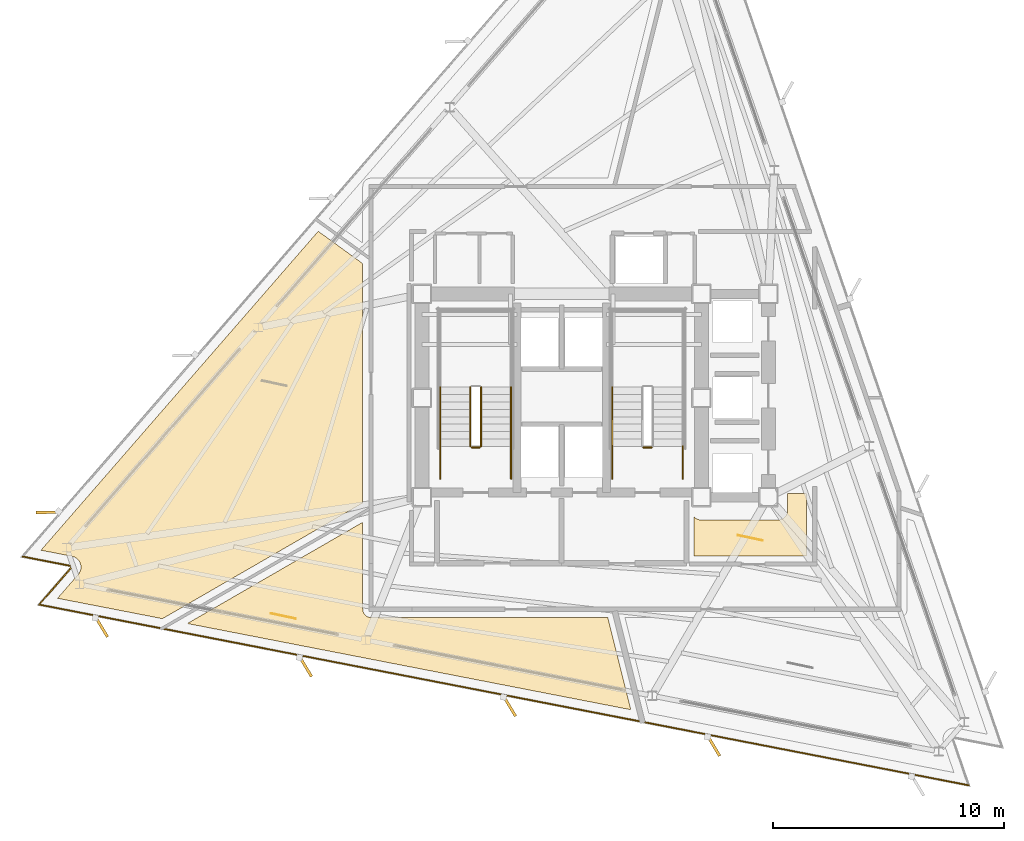
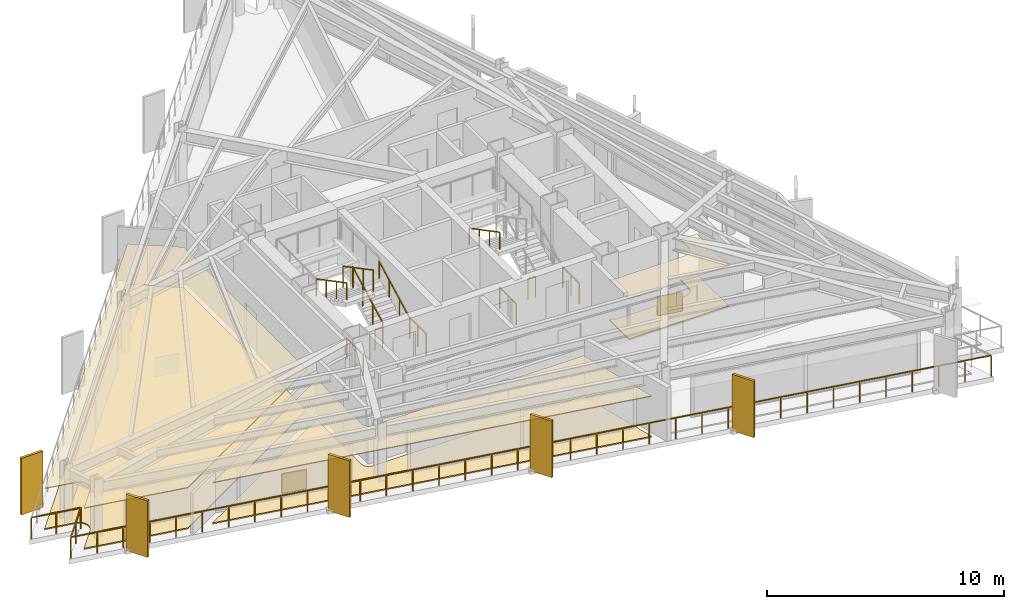
# One storey, part 11 of 13: 12 railings, 8 coverings, 5 shading devices.
"""IFC4 building model written with IfcOpenShell, lengths in metres."""

from ifc_helpers import new_model, si_unit, direction, frame, origin, origin_2d, place, context, subcontext, project, spatial, polyline, rectangle, outline, extrude, material, layer, layer_set, type_object, element, save


model = new_model("IFC4")

# Units and contexts
model_context = context("Model", 3, precision=1e-05, world=origin(), true_north=direction((0.0, 1.0)))
body_context = subcontext(model_context, "Body", "Model", "MODEL_VIEW")
ifc_project = project(units=[si_unit("LENGTHUNIT", "METRE"), si_unit("AREAUNIT", "SQUARE_METRE"), si_unit("VOLUMEUNIT", "CUBIC_METRE"), si_unit("PLANEANGLEUNIT", "RADIAN"), si_unit("MASSUNIT", "GRAM", prefix="KILO")], contexts=[model_context])

# Site, building, storey
site_placement = place(None, origin())
site = spatial("IfcSite", under=ifc_project, at=site_placement, CompositionType="ELEMENT")
building_placement = place(site_placement, origin())
building = spatial("IfcBuilding", under=site, at=building_placement, Name="Rocaltana Carrier Exchange", CompositionType="ELEMENT")
storey_placement = place(building_placement, frame((0.0, 0.0, 153.280029296875)))
storey = spatial("IfcBuildingStorey", under=building, at=storey_placement, Name="L48", CompositionType="ELEMENT", Elevation=153.280029296875)

# Coverings
ifc_material_1 = material(Name="Calcium Sulphate & Aluminium Pedestal", Category="aluminium")
ifc_layer_1 = layer(ifc_material_1, 0.06005859375)
ifc_layer_set_1 = layer_set([ifc_layer_1], Name="Calcium Sulphate & Aluminium Pedestal")
covering_type_1 = type_object("IfcCoveringType", Name="Anti-Static Raised Exchange Access Floor 60", PredefinedType="FLOORING", material=ifc_layer_set_1)
covering_1_placement = place(storey_placement, origin())
element("IfcCovering", 1, at=covering_1_placement, inside=storey, type_object=covering_type_1, Name="L48 Cloud Architecture Office Finish Floor", PredefinedType="FLOORING", context=body_context, shape_type="SweptSolid", body=[
    extrude(outline(polyline([(-20.927490234375, -7.6455078125), (-20.918701171875, -7.635009765625), (-20.906494140625, -7.619140625), (-20.890380859375, -7.596435546875), (-20.879638671875, -7.57958984375), (-20.86572265625, -7.555419921875), (-20.85693359375, -7.53759765625), (-20.845703125, -7.511962890625), (-20.83837890625, -7.493408203125), (-20.829833984375, -7.466796875), (-20.824462890625, -7.447509765625), (-20.818603515625, -7.42041015625), (-20.815185546875, -7.400634765625), (-20.81201171875, -7.372802734375), (-20.810546875, -7.35302734375), (-20.81005859375, -7.3251953125), (-20.810791015625, -7.30517578125), (-20.81298828125, -7.27734375), (-20.815673828125, -7.257568359375), (-20.82080078125, -7.230224609375), (-20.8251953125, -7.210693359375), (-20.8330078125, -7.183837890625), (-20.839599609375, -7.1650390625), (-20.849853515625, -7.13916015625), (-20.8583984375, -7.12109375), (-20.87109375, -7.09619140625), (-20.88134765625, -7.0791015625), (-20.896484375, -7.055908203125), (-20.908447265625, -7.039794921875), (-20.92578125, -7.01806640625), (-20.939208984375, -7.003173828125), (-20.958984375, -6.9833984375), (-20.9736328125, -6.969970703125), (-20.9951171875, -6.9521484375), (-21.010986328125, -6.940185546875), (-21.0341796875, -6.924560546875), (-21.051513671875, -6.914306640625), (-21.075927734375, -6.901123046875), (-21.093994140625, -6.892578125), (-21.119873046875, -6.882080078125), (-21.138671875, -6.875244140625), (-21.165283203125, -6.8671875), (-21.184814453125, -6.862548828125), (-21.1982421875, -6.859619140625), (-22.541748046875, -6.598388671875), (-10.53759765625, 7.2109375), (-8.610107421875, 5.810546875), (-8.610107421875, -4.555419921875), (-17.281494140625, -9.561767578125), (-21.82568359375, -8.6787109375), (-20.927490234375, -7.6455078125)])), origin(), (0.0, 0.0, 1.0), 0.06005859375),
])
covering_2_placement = place(storey_placement, origin())
element("IfcCovering", 2, at=covering_2_placement, inside=storey, type_object=covering_type_1, Name="L48 Network Operations Office Finish Floor", PredefinedType="FLOORING", context=body_context, shape_type="SweptSolid", body=[
    extrude(outline(polyline([(-16.204345703125, -9.771240234375), (-8.610107421875, -5.38671875), (-8.610107421875, -9.14990234375), (-8.609619140625, -9.163818359375), (-8.609375, -9.171630859375), (-8.606689453125, -9.198974609375), (-8.60546875, -9.206787109375), (-8.60009765625, -9.233642578125), (-8.59814453125, -9.2412109375), (-8.590087890625, -9.267578125), (-8.58740234375, -9.27490234375), (-8.576904296875, -9.30029296875), (-8.57373046875, -9.307373046875), (-8.560791015625, -9.331787109375), (-8.556640625, -9.33837890625), (-8.54150390625, -9.361083984375), (-8.53662109375, -9.367431640625), (-8.519287109375, -9.388916015625), (-8.513916015625, -9.39453125), (-8.49462890625, -9.4140625), (-8.48876953125, -9.419189453125), (-8.467529296875, -9.436767578125), (-8.461181640625, -9.44140625), (-8.4384765625, -9.456787109375), (-8.431640625, -9.460693359375), (-8.407470703125, -9.4736328125), (-8.400390625, -9.47705078125), (-8.375, -9.487548828125), (-8.36767578125, -9.490234375), (-8.34130859375, -9.498291015625), (-8.33349609375, -9.5), (-8.306640625, -9.50537109375), (-8.298828125, -9.506591796875), (-8.271484375, -9.50927734375), (-8.263671875, -9.509765625), (-8.25, -9.510009765625), (2.0, -9.510009765625), (2.99560546875, -13.50341796875), (-16.204345703125, -9.771240234375)])), origin(), (0.0, 0.0, 1.0), 0.06005859375),
])
covering_3_placement = place(storey_placement, origin())
element("IfcCovering", 3, at=covering_3_placement, inside=storey, type_object=covering_type_1, Name="L48 Optical Switching Laboratory Finish Floor", PredefinedType="FLOORING", context=body_context, shape_type="SweptSolid", body=[
    extrude(outline(polyline([(5.739990234375, -6.840087890625), (5.739990234375, -5.161865234375), (5.748779296875, -5.170654296875), (5.760498046875, -5.18115234375), (5.78173828125, -5.198486328125), (5.794189453125, -5.2080078125), (5.817138671875, -5.22314453125), (5.83056640625, -5.231201171875), (5.85498046875, -5.244140625), (5.869140625, -5.2509765625), (5.894287109375, -5.261474609375), (5.9091796875, -5.2666015625), (5.935546875, -5.274658203125), (5.95068359375, -5.278564453125), (5.977783203125, -5.283935546875), (5.9931640625, -5.2861328125), (6.0205078125, -5.288818359375), (6.036376953125, -5.289794921875), (6.050048828125, -5.2900390625), (9.35009765625, -5.2900390625), (9.36376953125, -5.289794921875), (9.37939453125, -5.288818359375), (9.40673828125, -5.2861328125), (9.42236328125, -5.283935546875), (9.44921875, -5.278564453125), (9.464599609375, -5.274658203125), (9.49072265625, -5.2666015625), (9.505615234375, -5.261474609375), (9.531005859375, -5.2509765625), (9.545166015625, -5.244140625), (9.5693359375, -5.231201171875), (9.582763671875, -5.22314453125), (9.605712890625, -5.2080078125), (9.618408203125, -5.198486328125), (9.639404296875, -5.18115234375), (9.651123046875, -5.170654296875), (9.670654296875, -5.151123046875), (9.68115234375, -5.139404296875), (9.698486328125, -5.118408203125), (9.7080078125, -5.105712890625), (9.72314453125, -5.082763671875), (9.731201171875, -5.0693359375), (9.744140625, -5.045166015625), (9.7509765625, -5.031005859375), (9.761474609375, -5.005615234375), (9.7666015625, -4.99072265625), (9.774658203125, -4.964599609375), (9.778564453125, -4.94921875), (9.783935546875, -4.92236328125), (9.7861328125, -4.90673828125), (9.788818359375, -4.87939453125), (9.789794921875, -4.86376953125), (9.7900390625, -4.85009765625), (9.7900390625, -4.139892578125), (10.60009765625, -4.139892578125), (10.60009765625, -6.840087890625), (5.739990234375, -6.840087890625)])), origin(), (0.0, 0.0, 1.0), 0.06005859375),
])
ifc_material_2 = material(Name="Mineral Fibre & Powder-Coated Aluminium", Category="aluminium")
ifc_layer_2 = layer(ifc_material_2, 0.044921875)
ifc_layer_set_2 = layer_set([ifc_layer_2], Name="Mineral Fibre & Powder-Coated Aluminium")
covering_type_2 = type_object("IfcCoveringType", Name="Micro-Perforated Acoustic Ceiling 45", PredefinedType="CEILING", material=ifc_layer_set_2)
covering_4_placement = place(storey_placement, frame((0.0, 0.0, 2.093017578125)))
element("IfcCovering", 4, at=covering_4_placement, inside=storey, type_object=covering_type_2, Name="L48 Cloud Architecture Office Acoustic Ceiling", PredefinedType="CEILING", context=body_context, shape_type="SweptSolid", body=[
    extrude(outline(polyline([(-20.927490234375, -7.6455078125), (-20.918701171875, -7.635009765625), (-20.906494140625, -7.619140625), (-20.890380859375, -7.596435546875), (-20.879638671875, -7.57958984375), (-20.86572265625, -7.555419921875), (-20.85693359375, -7.53759765625), (-20.845703125, -7.511962890625), (-20.83837890625, -7.493408203125), (-20.829833984375, -7.466796875), (-20.824462890625, -7.447509765625), (-20.818603515625, -7.42041015625), (-20.815185546875, -7.400634765625), (-20.81201171875, -7.372802734375), (-20.810546875, -7.35302734375), (-20.81005859375, -7.3251953125), (-20.810791015625, -7.30517578125), (-20.81298828125, -7.27734375), (-20.815673828125, -7.257568359375), (-20.82080078125, -7.230224609375), (-20.8251953125, -7.210693359375), (-20.8330078125, -7.183837890625), (-20.839599609375, -7.1650390625), (-20.849853515625, -7.13916015625), (-20.8583984375, -7.12109375), (-20.87109375, -7.09619140625), (-20.88134765625, -7.0791015625), (-20.896484375, -7.055908203125), (-20.908447265625, -7.039794921875), (-20.92578125, -7.01806640625), (-20.939208984375, -7.003173828125), (-20.958984375, -6.9833984375), (-20.9736328125, -6.969970703125), (-20.9951171875, -6.9521484375), (-21.010986328125, -6.940185546875), (-21.0341796875, -6.924560546875), (-21.051513671875, -6.914306640625), (-21.075927734375, -6.901123046875), (-21.093994140625, -6.892578125), (-21.119873046875, -6.882080078125), (-21.138671875, -6.875244140625), (-21.165283203125, -6.8671875), (-21.184814453125, -6.862548828125), (-21.1982421875, -6.859619140625), (-22.541748046875, -6.598388671875), (-10.53759765625, 7.2109375), (-8.610107421875, 5.810546875), (-8.610107421875, -4.555419921875), (-17.281494140625, -9.561767578125), (-21.82568359375, -8.6787109375), (-20.927490234375, -7.6455078125)])), origin(), (0.0, 0.0, 1.0), 0.044921875),
])
covering_5_placement = place(storey_placement, frame((0.0, 0.0, 2.093017578125)))
element("IfcCovering", 5, at=covering_5_placement, inside=storey, type_object=covering_type_2, Name="L48 Network Operations Office Acoustic Ceiling", PredefinedType="CEILING", context=body_context, shape_type="SweptSolid", body=[
    extrude(outline(polyline([(-16.204345703125, -9.771240234375), (-8.610107421875, -5.38671875), (-8.610107421875, -9.14990234375), (-8.609619140625, -9.163818359375), (-8.609375, -9.171630859375), (-8.606689453125, -9.198974609375), (-8.60546875, -9.206787109375), (-8.60009765625, -9.233642578125), (-8.59814453125, -9.2412109375), (-8.590087890625, -9.267578125), (-8.58740234375, -9.27490234375), (-8.576904296875, -9.30029296875), (-8.57373046875, -9.307373046875), (-8.560791015625, -9.331787109375), (-8.556640625, -9.33837890625), (-8.54150390625, -9.361083984375), (-8.53662109375, -9.367431640625), (-8.519287109375, -9.388916015625), (-8.513916015625, -9.39453125), (-8.49462890625, -9.4140625), (-8.48876953125, -9.419189453125), (-8.467529296875, -9.436767578125), (-8.461181640625, -9.44140625), (-8.4384765625, -9.456787109375), (-8.431640625, -9.460693359375), (-8.407470703125, -9.4736328125), (-8.400390625, -9.47705078125), (-8.375, -9.487548828125), (-8.36767578125, -9.490234375), (-8.34130859375, -9.498291015625), (-8.33349609375, -9.5), (-8.306640625, -9.50537109375), (-8.298828125, -9.506591796875), (-8.271484375, -9.50927734375), (-8.263671875, -9.509765625), (-8.25, -9.510009765625), (2.0, -9.510009765625), (2.99560546875, -13.50341796875), (-16.204345703125, -9.771240234375)])), origin(), (0.0, 0.0, 1.0), 0.044921875),
])
covering_6_placement = place(storey_placement, frame((0.0, 0.0, 2.093017578125)))
element("IfcCovering", 6, at=covering_6_placement, inside=storey, type_object=covering_type_2, Name="L48 Optical Switching Laboratory Acoustic Ceiling", PredefinedType="CEILING", context=body_context, shape_type="SweptSolid", body=[
    extrude(outline(polyline([(5.739990234375, -6.840087890625), (5.739990234375, -5.161865234375), (5.748779296875, -5.170654296875), (5.760498046875, -5.18115234375), (5.78173828125, -5.198486328125), (5.794189453125, -5.2080078125), (5.817138671875, -5.22314453125), (5.83056640625, -5.231201171875), (5.85498046875, -5.244140625), (5.869140625, -5.2509765625), (5.894287109375, -5.261474609375), (5.9091796875, -5.2666015625), (5.935546875, -5.274658203125), (5.95068359375, -5.278564453125), (5.977783203125, -5.283935546875), (5.9931640625, -5.2861328125), (6.0205078125, -5.288818359375), (6.036376953125, -5.289794921875), (6.050048828125, -5.2900390625), (9.35009765625, -5.2900390625), (9.36376953125, -5.289794921875), (9.37939453125, -5.288818359375), (9.40673828125, -5.2861328125), (9.42236328125, -5.283935546875), (9.44921875, -5.278564453125), (9.464599609375, -5.274658203125), (9.49072265625, -5.2666015625), (9.505615234375, -5.261474609375), (9.531005859375, -5.2509765625), (9.545166015625, -5.244140625), (9.5693359375, -5.231201171875), (9.582763671875, -5.22314453125), (9.605712890625, -5.2080078125), (9.618408203125, -5.198486328125), (9.639404296875, -5.18115234375), (9.651123046875, -5.170654296875), (9.670654296875, -5.151123046875), (9.68115234375, -5.139404296875), (9.698486328125, -5.118408203125), (9.7080078125, -5.105712890625), (9.72314453125, -5.082763671875), (9.731201171875, -5.0693359375), (9.744140625, -5.045166015625), (9.7509765625, -5.031005859375), (9.761474609375, -5.005615234375), (9.7666015625, -4.99072265625), (9.774658203125, -4.964599609375), (9.778564453125, -4.94921875), (9.783935546875, -4.92236328125), (9.7861328125, -4.90673828125), (9.788818359375, -4.87939453125), (9.789794921875, -4.86376953125), (9.7900390625, -4.85009765625), (9.7900390625, -4.139892578125), (10.60009765625, -4.139892578125), (10.60009765625, -6.840087890625), (5.739990234375, -6.840087890625)])), origin(), (0.0, 0.0, 1.0), 0.044921875),
])

# Railings
ifc_material_3 = material(Name="Brushed Architectural Stainless Tube", Category="steel")
ifc_layer_3 = layer(ifc_material_3, 0.048095703125)
ifc_layer_set_3 = layer_set([ifc_layer_3], Name="Brushed Architectural Stainless Tube")
railing_type_1 = type_object("IfcRailingType", Name="Stair Wall Handrail 920", PredefinedType="HANDRAIL", material=ifc_layer_set_3)
railing_1_placement = place(storey_placement, frame((-2.18994140625, -2.10009765625, 0.1689453125)))
element("IfcRailing", 7, at=railing_1_placement, inside=storey, type_object=railing_type_1, Name="L48 ST-1 stair handrail 1", PredefinedType="HANDRAIL", context=body_context, shape_type="SweptSolid", body=[
    extrude(rectangle(XDim=0.048095703125, YDim=0.048095703125, at=origin_2d()), frame((0.0, 0.0, 0.8759765625), z_axis=(0.0, 0.884394423565, 0.466740295633), x_axis=(-1.0, 0.0, 0.0)), (0.0, 0.0, 1.0), 2.894775390625),
    extrude(rectangle(XDim=0.0419921875, YDim=0.0419921875, at=origin_2d()), origin(), (0.0, 0.0, 1.0), 0.851806640625),
    extrude(rectangle(XDim=0.0419921875, YDim=0.0419921875, at=origin_2d()), frame((0.0, 0.853271484375, 0.450439453125)), (0.0, 0.0, 1.0), 0.851806640625),
    extrude(rectangle(XDim=0.0419921875, YDim=0.0419921875, at=origin_2d()), frame((0.0, 1.706787109375, 0.900634765625)), (0.0, 0.0, 1.0), 0.851806640625),
    extrude(rectangle(XDim=0.0419921875, YDim=0.0419921875, at=origin_2d()), frame((0.0, 2.56005859375, 1.35107421875)), (0.0, 0.0, 1.0), 0.851806640625),
])
for number, where, name in (
    (8, (-5.25, 0.4599609375, 1.68896484375), "L48 ST-1 stair handrail 2"),
    (9, (2.18994140625, 0.4599609375, 1.68896484375), "L48 ST-2 stair handrail 2"),
):
    element("IfcRailing", number, at=place(storey_placement, frame(where)), inside=storey, type_object=railing_type_1, Name=name, PredefinedType="HANDRAIL", context=body_context, shape_type="SweptSolid", body=[
        extrude(rectangle(XDim=0.048095703125, YDim=0.048095703125, at=origin_2d()), frame((0.0, 0.0, 0.8759765625), z_axis=(0.0, -0.884394423565, 0.466740295633), x_axis=(1.0, 0.0, 0.0)), (0.0, 0.0, 1.0), 2.894775390625),
        extrude(rectangle(XDim=0.0419921875, YDim=0.0419921875, at=origin_2d()), origin(), (0.0, 0.0, 1.0), 0.851806640625),
        extrude(rectangle(XDim=0.0419921875, YDim=0.0419921875, at=origin_2d()), frame((0.0, -0.853271484375, 0.450439453125)), (0.0, 0.0, 1.0), 0.851806640625),
        extrude(rectangle(XDim=0.0419921875, YDim=0.0419921875, at=origin_2d()), frame((0.0, -1.706787109375, 0.900634765625)), (0.0, 0.0, 1.0), 0.851806640625),
        extrude(rectangle(XDim=0.0419921875, YDim=0.0419921875, at=origin_2d()), frame((0.0, -2.56005859375, 1.35107421875)), (0.0, 0.0, 1.0), 0.851806640625),
    ])
ifc_material_4 = material(Name="Powder-Coated Aluminium 6063-T6", Category="aluminium")
ifc_layer_4 = layer(ifc_material_4, 0.048095703125)
ifc_layer_set_4 = layer_set([ifc_layer_4], Name="Powder-Coated Aluminium 6063-T6")
railing_type_2 = type_object("IfcRailingType", Name="Stair Well Guardrail 1100", PredefinedType="GUARDRAIL", material=ifc_layer_set_4)
railing_2_placement = place(storey_placement, frame((-3.489990234375, -2.10009765625, 0.1689453125)))
element("IfcRailing", 10, at=railing_2_placement, inside=storey, type_object=railing_type_2, Name="L48 ST-1 stair guard 1", PredefinedType="GUARDRAIL", context=body_context, shape_type="SweptSolid", body=[
    extrude(rectangle(XDim=0.048095703125, YDim=0.048095703125, at=origin_2d()), frame((0.0, 0.0, 1.076171875), z_axis=(0.0, 0.884394423565, 0.466740295633), x_axis=(-1.0, 0.0, 0.0)), (0.0, 0.0, 1.0), 2.894775390625),
    extrude(rectangle(XDim=0.0419921875, YDim=0.0419921875, at=origin_2d()), origin(), (0.0, 0.0, 1.0), 1.052001953125),
    extrude(rectangle(XDim=0.0419921875, YDim=0.0419921875, at=origin_2d()), frame((0.0, 0.853271484375, 0.450439453125)), (0.0, 0.0, 1.0), 1.052001953125),
    extrude(rectangle(XDim=0.0419921875, YDim=0.0419921875, at=origin_2d()), frame((0.0, 1.706787109375, 0.900634765625)), (0.0, 0.0, 1.0), 1.052001953125),
    extrude(rectangle(XDim=0.0419921875, YDim=0.0419921875, at=origin_2d()), frame((0.0, 2.56005859375, 1.35107421875)), (0.0, 0.0, 1.0), 1.052001953125),
])
railing_3_placement = place(storey_placement, frame((-3.949951171875, 0.4599609375, 1.68896484375)))
element("IfcRailing", 11, at=railing_3_placement, inside=storey, type_object=railing_type_2, Name="L48 ST-1 stair guard 6", PredefinedType="GUARDRAIL", context=body_context, shape_type="SweptSolid", body=[
    extrude(rectangle(XDim=0.048095703125, YDim=0.048095703125, at=origin_2d()), frame((0.0, 0.0, 1.076171875), z_axis=(0.0, -0.884394423565, 0.466740295633), x_axis=(1.0, 0.0, 0.0)), (0.0, 0.0, 1.0), 2.894775390625),
    extrude(rectangle(XDim=0.0419921875, YDim=0.0419921875, at=origin_2d()), origin(), (0.0, 0.0, 1.0), 1.052001953125),
    extrude(rectangle(XDim=0.0419921875, YDim=0.0419921875, at=origin_2d()), frame((0.0, -0.853271484375, 0.450439453125)), (0.0, 0.0, 1.0), 1.052001953125),
    extrude(rectangle(XDim=0.0419921875, YDim=0.0419921875, at=origin_2d()), frame((0.0, -1.706787109375, 0.900634765625)), (0.0, 0.0, 1.0), 1.052001953125),
    extrude(rectangle(XDim=0.0419921875, YDim=0.0419921875, at=origin_2d()), frame((0.0, -2.56005859375, 1.35107421875)), (0.0, 0.0, 1.0), 1.052001953125),
])
railing_4_placement = place(storey_placement, frame((-3.5400390625, -2.14990234375, 0.0)))
element("IfcRailing", 12, at=railing_4_placement, inside=storey, type_object=railing_type_2, Name="L48 ST-1 stair guard 7", PredefinedType="GUARDRAIL", context=body_context, shape_type="SweptSolid", body=[
    extrude(rectangle(XDim=0.048095703125, YDim=0.048095703125, at=origin_2d()), frame((0.0, 0.0, 1.076171875), z_axis=(-1.0, 0.0, 0.0), x_axis=(0.0, -1.0, 0.0)), (0.0, 0.0, 1.0), 0.35986328125),
    extrude(rectangle(XDim=0.0419921875, YDim=0.0419921875, at=origin_2d()), origin(), (0.0, 0.0, 1.0), 1.052001953125),
    extrude(rectangle(XDim=0.0419921875, YDim=0.0419921875, at=origin_2d()), frame((-0.35986328125, 0.0, 0.0)), (0.0, 0.0, 1.0), 1.052001953125),
])
for number, where, name in (
    (13, (-2.18994140625, -3.5, 0.0), "L48 ST-1 stair guard 8"),
    (14, (-5.25, -3.5, 0.0), "L48 ST-1 stair guard 9"),
):
    element("IfcRailing", number, at=place(storey_placement, frame(where)), inside=storey, type_object=railing_type_2, Name=name, PredefinedType="GUARDRAIL", context=body_context, shape_type="SweptSolid", body=[
        extrude(rectangle(XDim=0.048095703125, YDim=0.048095703125, at=origin_2d()), frame((0.0, 0.0, 1.076171875), z_axis=(0.0, 1.0, 0.0), x_axis=(-1.0, 0.0, 0.0)), (0.0, 0.0, 1.0), 1.39990234375),
        extrude(rectangle(XDim=0.0419921875, YDim=0.0419921875, at=origin_2d()), origin(), (0.0, 0.0, 1.0), 1.052001953125),
        extrude(rectangle(XDim=0.0419921875, YDim=0.0419921875, at=origin_2d()), frame((0.0, 0.699951171875, 0.0)), (0.0, 0.0, 1.0), 1.052001953125),
        extrude(rectangle(XDim=0.0419921875, YDim=0.0419921875, at=origin_2d()), frame((0.0, 1.39990234375, 0.0)), (0.0, 0.0, 1.0), 1.052001953125),
    ])
railing_5_placement = place(storey_placement, frame((3.89990234375, -2.14990234375, 0.0)))
element("IfcRailing", 15, at=railing_5_placement, inside=storey, type_object=railing_type_2, Name="L48 ST-2 stair guard 7", PredefinedType="GUARDRAIL", context=body_context, shape_type="SweptSolid", body=[
    extrude(rectangle(XDim=0.048095703125, YDim=0.048095703125, at=origin_2d()), frame((0.0, 0.0, 1.076171875), z_axis=(-1.0, 0.0, 0.0), x_axis=(0.0, -1.0, 0.0)), (0.0, 0.0, 1.0), 0.35986328125),
    extrude(rectangle(XDim=0.0419921875, YDim=0.0419921875, at=origin_2d()), origin(), (0.0, 0.0, 1.0), 1.052001953125),
    extrude(rectangle(XDim=0.0419921875, YDim=0.0419921875, at=origin_2d()), frame((-0.35986328125, 0.0, 0.0)), (0.0, 0.0, 1.0), 1.052001953125),
])
for number, where, name in (
    (16, (5.25, -3.5, 0.0), "L48 ST-2 stair guard 8"),
    (17, (2.18994140625, -3.5, 0.0), "L48 ST-2 stair guard 9"),
):
    element("IfcRailing", number, at=place(storey_placement, frame(where)), inside=storey, type_object=railing_type_2, Name=name, PredefinedType="GUARDRAIL", context=body_context, shape_type="SweptSolid", body=[
        extrude(rectangle(XDim=0.048095703125, YDim=0.048095703125, at=origin_2d()), frame((0.0, 0.0, 1.076171875), z_axis=(0.0, 1.0, 0.0), x_axis=(-1.0, 0.0, 0.0)), (0.0, 0.0, 1.0), 1.39990234375),
        extrude(rectangle(XDim=0.0419921875, YDim=0.0419921875, at=origin_2d()), origin(), (0.0, 0.0, 1.0), 1.052001953125),
        extrude(rectangle(XDim=0.0419921875, YDim=0.0419921875, at=origin_2d()), frame((0.0, 0.699951171875, 0.0)), (0.0, 0.0, 1.0), 1.052001953125),
        extrude(rectangle(XDim=0.0419921875, YDim=0.0419921875, at=origin_2d()), frame((0.0, 1.39990234375, 0.0)), (0.0, 0.0, 1.0), 1.052001953125),
    ])

# Coverings
ifc_material_5 = material(Name="Honed Piedra Muneca Sandstone", Category="masonry")
ifc_layer_5 = layer(ifc_material_5, 0.034912109375)
ifc_layer_set_5 = layer_set([ifc_layer_5], Name="Honed Piedra Muneca Sandstone")
covering_type_3 = type_object("IfcCoveringType", Name="Stone Facade Cladding 35", PredefinedType="CLADDING", material=ifc_layer_set_5)
for number, where, z_axis, x_axis, name in (
    (18, (-12.048095703125, -9.448974609375, 0.0), (0.0, 0.0, 1.0), (-0.978147600734, 0.207911690818, 0.0), "L48 Stone Facade Cladding Panel 2"),
    (19, (8.169921875, -6.06494140625, 0.0), (0.0, 0.0, 1.0), (-0.978147600734, 0.207911690818, 0.0), "L48 Stone Facade Cladding Panel 4"),
):
    element("IfcCovering", number, at=place(storey_placement, frame(where, z_axis=z_axis, x_axis=x_axis)), inside=storey, type_object=covering_type_3, Name=name, PredefinedType="CLADDING", context=body_context, shape_type="SweptSolid", body=[
        extrude(rectangle(XDim=1.10009765625, YDim=0.034912109375, at=origin_2d()), origin(), (0.0, 0.0, 1.0), 1.050048828125),
    ])

# Shading devices
ifc_material_6 = material(Name="Honed Bogota Sandstone & Concrete C45/55", Category="masonry")
ifc_layer_6 = layer(ifc_material_6, 0.1201171875)
ifc_layer_set_6 = layer_set([ifc_layer_6], Name="Honed Bogota Sandstone & Concrete C45/55")
shading_device_type = type_object("IfcShadingDeviceType", Name="Upper Sandstone Shading Fin 1050x120", PredefinedType="USERDEFINED", material=ifc_layer_set_6)
for number, where, z_axis, x_axis, name in (
    (20, (-22.228759765625, -4.95703125, -0.1201171875), (0.0, 0.0, 1.0), (-0.999847695156, -0.017452406437, 0.0), "L48 Sandstone Vertical Fin F2-05"),
    (21, (-19.93115234375, -9.90283203125, -0.1201171875), (0.0, 0.0, 1.0), (0.51503807491, -0.857167300702, 0.0), "L48 Sandstone Vertical Fin F3-01"),
    (22, (-11.0966796875, -11.6201171875, -0.1201171875), (0.0, 0.0, 1.0), (0.51503807491, -0.857167300702, 0.0), "L48 Sandstone Vertical Fin F3-02"),
    (23, (-2.261962890625, -13.33740234375, -0.1201171875), (0.0, 0.0, 1.0), (0.51503807491, -0.857167300702, 0.0), "L48 Sandstone Vertical Fin F3-03"),
    (24, (6.57275390625, -15.0546875, -0.1201171875), (0.0, 0.0, 1.0), (0.51503807491, -0.857167300702, 0.0), "L48 Sandstone Vertical Fin F3-04"),
):
    element("IfcShadingDevice", number, at=place(storey_placement, frame(where, z_axis=z_axis, x_axis=x_axis)), inside=storey, type_object=shading_device_type, Name=name, ObjectType="FIN", PredefinedType="USERDEFINED", context=body_context, shape_type="SweptSolid", body=[
        extrude(rectangle(XDim=1.050048828125, YDim=0.1201171875, at=origin_2d()), origin(), (0.0, 0.0, 1.0), 2.907958984375),
    ])

# Railing
ifc_material_7 = material(Name="Powder-Coated Aluminium 6063-T6", Category="aluminium")
ifc_layer_7 = layer(ifc_material_7, 0.06005859375)
ifc_layer_set_7 = layer_set([ifc_layer_7], Name="Powder-Coated Aluminium 6063-T6")
railing_type_3 = type_object("IfcRailingType", Name="Wind-Floor & Terrace Perimeter Guardrail 1100", PredefinedType="GUARDRAIL", material=ifc_layer_set_7)
railing_6_placement = place(storey_placement, frame((17.619140625, -16.773681640625, 0.0)))
element("IfcRailing", 25, at=railing_6_placement, inside=storey, type_object=railing_type_3, Name="L48 Perimeter Balcony Guardrail 1", PredefinedType="GUARDRAIL", context=body_context, shape_type="SweptSolid", body=[
    extrude(rectangle(XDim=0.048095703125, YDim=0.048095703125, at=origin_2d()), frame((0.0, 0.0, 1.076171875), z_axis=(-0.981626701724, 0.190811473615, 0.0), x_axis=(-0.190811473615, -0.981626701724, 0.0)), (0.0, 0.0, 1.0), 40.9921875),
    extrude(rectangle(XDim=0.048095703125, YDim=0.048095703125, at=origin_2d()), frame((-40.239013671875, 7.82177734375, 1.076171875), z_axis=(0.656057821484, 0.75471062989, 0.0), x_axis=(-0.75471062989, 0.656057821484, 0.0)), (0.0, 0.0, 1.0), 2.199951171875),
    extrude(rectangle(XDim=0.048095703125, YDim=0.048095703125, at=origin_2d()), frame((-38.795654296875, 9.482177734375, 1.076171875), z_axis=(-0.98163329095, 0.190777572317, 0.0), x_axis=(-0.190777572317, -0.98163329095, 0.0)), (0.0, 0.0, 1.0), 2.19970703125),
    extrude(rectangle(XDim=0.0419921875, YDim=0.0419921875, at=origin_2d()), origin(), (0.0, 0.0, 1.0), 1.052001953125),
    extrude(rectangle(XDim=0.0419921875, YDim=0.0419921875, at=origin_2d()), frame((-1.149658203125, 0.223388671875, 0.0)), (0.0, 0.0, 1.0), 1.052001953125),
    extrude(rectangle(XDim=0.0419921875, YDim=0.0419921875, at=origin_2d()), frame((-2.29931640625, 0.447021484375, 0.0)), (0.0, 0.0, 1.0), 1.052001953125),
    extrude(rectangle(XDim=0.0419921875, YDim=0.0419921875, at=origin_2d()), frame((-3.448974609375, 0.67041015625, 0.0)), (0.0, 0.0, 1.0), 1.052001953125),
    extrude(rectangle(XDim=0.0419921875, YDim=0.0419921875, at=origin_2d()), frame((-4.5986328125, 0.893798828125, 0.0)), (0.0, 0.0, 1.0), 1.052001953125),
    extrude(rectangle(XDim=0.0419921875, YDim=0.0419921875, at=origin_2d()), frame((-5.74853515625, 1.117431640625, 0.0)), (0.0, 0.0, 1.0), 1.052001953125),
    extrude(rectangle(XDim=0.0419921875, YDim=0.0419921875, at=origin_2d()), frame((-6.898193359375, 1.3408203125, 0.0)), (0.0, 0.0, 1.0), 1.052001953125),
    extrude(rectangle(XDim=0.0419921875, YDim=0.0419921875, at=origin_2d()), frame((-8.0478515625, 1.564453125, 0.0)), (0.0, 0.0, 1.0), 1.052001953125),
    extrude(rectangle(XDim=0.0419921875, YDim=0.0419921875, at=origin_2d()), frame((-9.197509765625, 1.787841796875, 0.0)), (0.0, 0.0, 1.0), 1.052001953125),
    extrude(rectangle(XDim=0.0419921875, YDim=0.0419921875, at=origin_2d()), frame((-10.34716796875, 2.01123046875, 0.0)), (0.0, 0.0, 1.0), 1.052001953125),
    extrude(rectangle(XDim=0.0419921875, YDim=0.0419921875, at=origin_2d()), frame((-11.496826171875, 2.23486328125, 0.0)), (0.0, 0.0, 1.0), 1.052001953125),
    extrude(rectangle(XDim=0.0419921875, YDim=0.0419921875, at=origin_2d()), frame((-12.646484375, 2.458251953125, 0.0)), (0.0, 0.0, 1.0), 1.052001953125),
    extrude(rectangle(XDim=0.0419921875, YDim=0.0419921875, at=origin_2d()), frame((-13.796142578125, 2.681640625, 0.0)), (0.0, 0.0, 1.0), 1.052001953125),
    extrude(rectangle(XDim=0.0419921875, YDim=0.0419921875, at=origin_2d()), frame((-14.94580078125, 2.9052734375, 0.0)), (0.0, 0.0, 1.0), 1.052001953125),
    extrude(rectangle(XDim=0.0419921875, YDim=0.0419921875, at=origin_2d()), frame((-16.095703125, 3.128662109375, 0.0)), (0.0, 0.0, 1.0), 1.052001953125),
    extrude(rectangle(XDim=0.0419921875, YDim=0.0419921875, at=origin_2d()), frame((-17.245361328125, 3.352294921875, 0.0)), (0.0, 0.0, 1.0), 1.052001953125),
    extrude(rectangle(XDim=0.0419921875, YDim=0.0419921875, at=origin_2d()), frame((-18.39501953125, 3.57568359375, 0.0)), (0.0, 0.0, 1.0), 1.052001953125),
    extrude(rectangle(XDim=0.0419921875, YDim=0.0419921875, at=origin_2d()), frame((-19.544677734375, 3.799072265625, 0.0)), (0.0, 0.0, 1.0), 1.052001953125),
    extrude(rectangle(XDim=0.0419921875, YDim=0.0419921875, at=origin_2d()), frame((-20.6943359375, 4.022705078125, 0.0)), (0.0, 0.0, 1.0), 1.052001953125),
    extrude(rectangle(XDim=0.0419921875, YDim=0.0419921875, at=origin_2d()), frame((-21.843994140625, 4.24609375, 0.0)), (0.0, 0.0, 1.0), 1.052001953125),
    extrude(rectangle(XDim=0.0419921875, YDim=0.0419921875, at=origin_2d()), frame((-22.99365234375, 4.469482421875, 0.0)), (0.0, 0.0, 1.0), 1.052001953125),
    extrude(rectangle(XDim=0.0419921875, YDim=0.0419921875, at=origin_2d()), frame((-24.143310546875, 4.693115234375, 0.0)), (0.0, 0.0, 1.0), 1.052001953125),
    extrude(rectangle(XDim=0.0419921875, YDim=0.0419921875, at=origin_2d()), frame((-25.293212890625, 4.91650390625, 0.0)), (0.0, 0.0, 1.0), 1.052001953125),
    extrude(rectangle(XDim=0.0419921875, YDim=0.0419921875, at=origin_2d()), frame((-26.44287109375, 5.14013671875, 0.0)), (0.0, 0.0, 1.0), 1.052001953125),
    extrude(rectangle(XDim=0.0419921875, YDim=0.0419921875, at=origin_2d()), frame((-27.592529296875, 5.363525390625, 0.0)), (0.0, 0.0, 1.0), 1.052001953125),
    extrude(rectangle(XDim=0.0419921875, YDim=0.0419921875, at=origin_2d()), frame((-28.7421875, 5.5869140625, 0.0)), (0.0, 0.0, 1.0), 1.052001953125),
    extrude(rectangle(XDim=0.0419921875, YDim=0.0419921875, at=origin_2d()), frame((-29.891845703125, 5.810546875, 0.0)), (0.0, 0.0, 1.0), 1.052001953125),
    extrude(rectangle(XDim=0.0419921875, YDim=0.0419921875, at=origin_2d()), frame((-31.04150390625, 6.033935546875, 0.0)), (0.0, 0.0, 1.0), 1.052001953125),
    extrude(rectangle(XDim=0.0419921875, YDim=0.0419921875, at=origin_2d()), frame((-32.191162109375, 6.25732421875, 0.0)), (0.0, 0.0, 1.0), 1.052001953125),
    extrude(rectangle(XDim=0.0419921875, YDim=0.0419921875, at=origin_2d()), frame((-33.3408203125, 6.48095703125, 0.0)), (0.0, 0.0, 1.0), 1.052001953125),
    extrude(rectangle(XDim=0.0419921875, YDim=0.0419921875, at=origin_2d()), frame((-34.490478515625, 6.704345703125, 0.0)), (0.0, 0.0, 1.0), 1.052001953125),
    extrude(rectangle(XDim=0.0419921875, YDim=0.0419921875, at=origin_2d()), frame((-35.640380859375, 6.927978515625, 0.0)), (0.0, 0.0, 1.0), 1.052001953125),
    extrude(rectangle(XDim=0.0419921875, YDim=0.0419921875, at=origin_2d()), frame((-36.7900390625, 7.1513671875, 0.0)), (0.0, 0.0, 1.0), 1.052001953125),
    extrude(rectangle(XDim=0.0419921875, YDim=0.0419921875, at=origin_2d()), frame((-37.939697265625, 7.374755859375, 0.0)), (0.0, 0.0, 1.0), 1.052001953125),
    extrude(rectangle(XDim=0.0419921875, YDim=0.0419921875, at=origin_2d()), frame((-39.08935546875, 7.598388671875, 0.0)), (0.0, 0.0, 1.0), 1.052001953125),
    extrude(rectangle(XDim=0.0419921875, YDim=0.0419921875, at=origin_2d()), frame((-40.239013671875, 7.82177734375, 0.0)), (0.0, 0.0, 1.0), 1.052001953125),
    extrude(rectangle(XDim=0.0419921875, YDim=0.0419921875, at=origin_2d()), frame((-39.517333984375, 8.65185546875, 0.0)), (0.0, 0.0, 1.0), 1.052001953125),
    extrude(rectangle(XDim=0.0419921875, YDim=0.0419921875, at=origin_2d()), frame((-38.795654296875, 9.482177734375, 0.0)), (0.0, 0.0, 1.0), 1.052001953125),
    extrude(rectangle(XDim=0.0419921875, YDim=0.0419921875, at=origin_2d()), frame((-39.87548828125, 9.69189453125, 0.0)), (0.0, 0.0, 1.0), 1.052001953125),
    extrude(rectangle(XDim=0.0419921875, YDim=0.0419921875, at=origin_2d()), frame((-40.955078125, 9.90185546875, 0.0)), (0.0, 0.0, 1.0), 1.052001953125),
])

save(model, "model.ifc")
